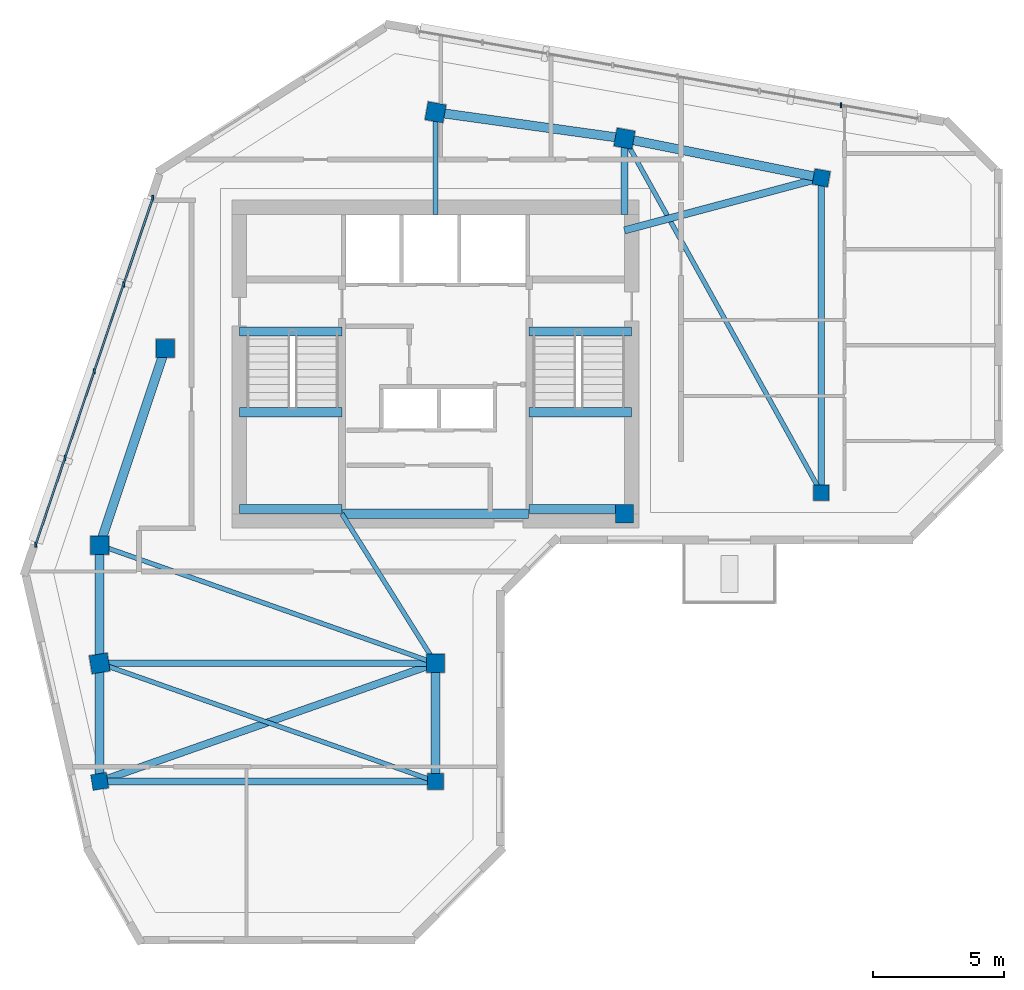
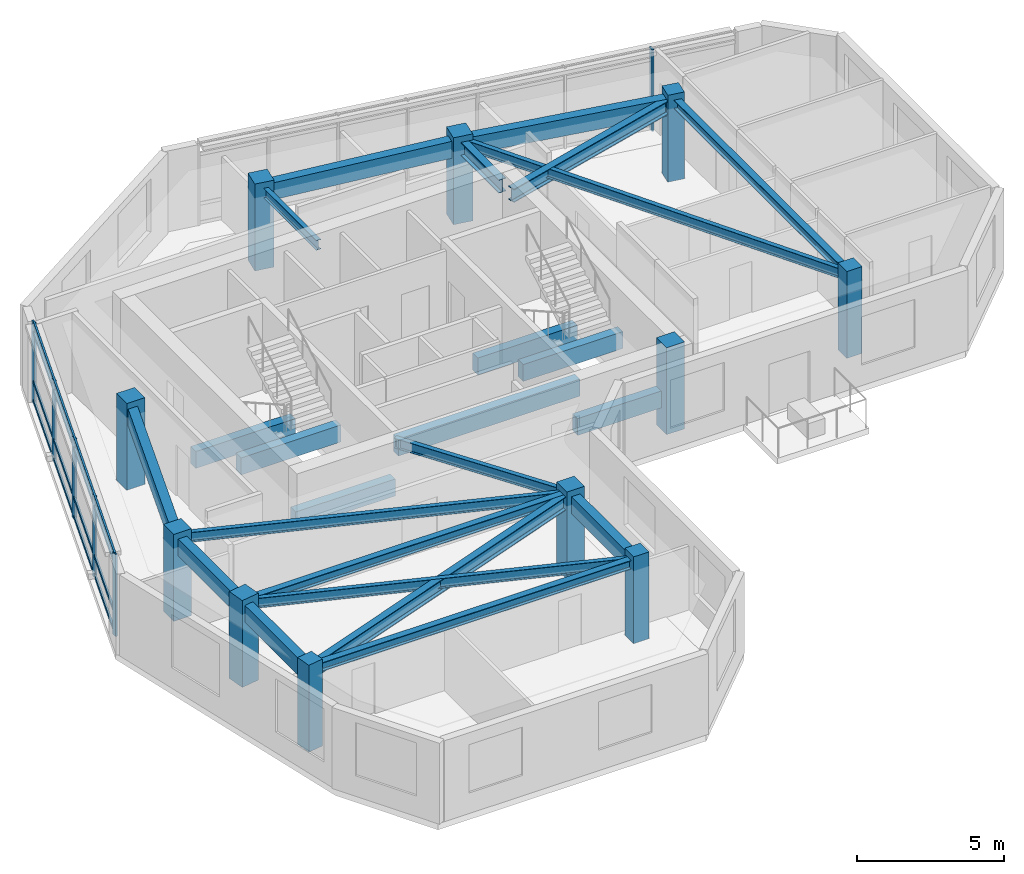
# One storey, part 1 of 9: 24 beams, 11 columns, 10 members, 2 elements without a shape of their own.
"""IFC4 building model written with IfcOpenShell, lengths in metres."""

from ifc_helpers import new_model, si_unit, direction, frame, origin, origin_2d, place, context, subcontext, project, spatial, rectangle, i_section, extrude, source, transform, mapped, material, material_profile, profile_set, type_object, element, aggregate, save


model = new_model("IFC4")

# Units and contexts
model_context = context("Model", 3, precision=1e-05, world=origin(), true_north=direction((0.0, 1.0)))
body_context = subcontext(model_context, "Body", "Model", "MODEL_VIEW")
ifc_project = project(units=[si_unit("LENGTHUNIT", "METRE"), si_unit("AREAUNIT", "SQUARE_METRE"), si_unit("VOLUMEUNIT", "CUBIC_METRE"), si_unit("PLANEANGLEUNIT", "RADIAN"), si_unit("MASSUNIT", "GRAM", prefix="KILO")], contexts=[model_context])

# Site, building, storey
site_placement = place(None, origin())
site = spatial("IfcSite", under=ifc_project, at=site_placement, CompositionType="ELEMENT")
building_placement = place(site_placement, origin())
building = spatial("IfcBuilding", under=site, at=building_placement, Name="Calvemar Wedge Station Tower", CompositionType="ELEMENT")
storey_placement = place(building_placement, frame((0.0, 0.0, 270.89990234375)))
storey = spatial("IfcBuildingStorey", under=building, at=storey_placement, Name="L69", CompositionType="ELEMENT", Elevation=270.89990234375)

# Columns
ifc_material_1 = material(Name="Concrete C50", Category="concrete")
ifc_material_profile_1 = material_profile(ifc_material_1, rectangle(XDim=0.699951171875, YDim=0.699951171875, at=origin_2d()), Name="RC700x700")
ifc_profile_set_1 = profile_set([ifc_material_profile_1], Name="Concrete C50")
column_type_1 = type_object("IfcColumnType", Name="COL-C7-700", PredefinedType="COLUMN", material=ifc_profile_set_1)
shared_shape_1 = source(origin(), body_context, "Body", "SweptSolid", [
    extrude(rectangle(XDim=0.699951171875, YDim=0.699951171875, at=origin_2d()), origin(), (0.0, 0.0, 1.0), 3.60009765625),
])
for number, where, z_axis, x_axis, name in (
    (1, (11.0, 33.0, 0.0), (0.0, 0.0, 1.0), (1.0, 0.0, 0.0), "Storey L69 Column T-NW1"),
    (2, (13.5, 40.5, 0.0), (0.0, 0.0, 1.0), (1.0, 0.0, 0.0), "Storey L69 Column T-NW2"),
    (3, (23.800048828125, 49.5, 0.0), (0.0, 0.0, 1.0), (0.984195607969, -0.17708474032, 0.0), "Storey L69 Column T-N1"),
    (4, (31.0, 48.5, 0.0), (0.0, 0.0, 1.0), (0.984195607969, -0.17708474032, 0.0), "Storey L69 Column T-N2"),
    (5, (31.0, 34.199951171875, 0.0), (0.0, 0.0, 1.0), (1.0, 0.0, 0.0), "Storey L69 Column T-NL1"),
    (6, (11.0, 28.5, 0.0), (0.0, 0.0, 1.0), (0.158158067254, -0.987413806751, 0.0), "Storey L69 Column T-SW1"),
    (7, (23.800048828125, 28.5, 0.0), (0.0, 0.0, 1.0), (1.0, 0.0, 0.0), "Storey L69 Column T-SE1"),
):
    element("IfcColumn", number, at=place(storey_placement, frame(where, z_axis=z_axis, x_axis=x_axis)), inside=storey, type_object=column_type_1, Name=name, PredefinedType="COLUMN", context=body_context, shape_type="MappedRepresentation", body=[
        mapped(shared_shape_1, transform((0.0, 0.0, 0.0), scale=1.0)),
    ])
ifc_material_profile_2 = material_profile(ifc_material_1, rectangle(XDim=0.60009765625, YDim=0.60009765625, at=origin_2d()), Name="RC600x600")
ifc_profile_set_2 = profile_set([ifc_material_profile_2], Name="Concrete C50")
column_type_2 = type_object("IfcColumnType", Name="COL-C8-600", PredefinedType="COLUMN", material=ifc_profile_set_2)
shared_shape_2 = source(origin(), body_context, "Body", "SweptSolid", [
    extrude(rectangle(XDim=0.60009765625, YDim=0.60009765625, at=origin_2d()), origin(), (0.0, 0.0, 1.0), 3.60009765625),
])
for number, where, z_axis, x_axis, name in (
    (8, (38.5, 47.0, 0.0), (0.0, 0.0, 1.0), (0.984195607969, -0.17708474032, 0.0), "Storey L69 Column T-NU3"),
    (9, (38.5, 35.0, 0.0), (0.0, 0.0, 1.0), (1.0, 0.0, 0.0), "Storey L69 Column T-NL2"),
    (10, (11.0, 24.0, 0.0), (0.0, 0.0, 1.0), (0.158158067254, -0.987413806751, 0.0), "Storey L69 Column T-SW2"),
    (11, (23.800048828125, 24.0, 0.0), (0.0, 0.0, 1.0), (1.0, 0.0, 0.0), "Storey L69 Column T-SE2"),
):
    element("IfcColumn", number, at=place(storey_placement, frame(where, z_axis=z_axis, x_axis=x_axis)), inside=storey, type_object=column_type_2, Name=name, PredefinedType="COLUMN", context=body_context, shape_type="MappedRepresentation", body=[
        mapped(shared_shape_2, transform((0.0, 0.0, 0.0), scale=1.0)),
    ])

# Beams
ifc_material_2 = material(Name="Structural steel ASTM A572 Grade 50", Category="steel")
ifc_material_profile_3 = material_profile(ifc_material_2, i_section(OverallWidth=0.177978515625, OverallDepth=0.406982421875, WebThickness=0.0078125, FlangeThickness=0.0126953125, FilletRadius=0.010009765625, at=origin_2d()), Name="W410x60")
ifc_profile_set_3 = profile_set([ifc_material_profile_3], Name="Structural steel ASTM A572 Grade 50")
beam_type_1 = type_object("IfcBeamType", Name="BM-J3-W410", PredefinedType="JOIST", material=ifc_profile_set_3)
shared_shape_3 = source(origin(), body_context, "Body", "SweptSolid", [
    extrude(i_section(OverallWidth=0.177978515625, OverallDepth=0.406982421875, WebThickness=0.0078125, FlangeThickness=0.0126953125, FilletRadius=0.010009765625, at=origin_2d()), origin(), (0.0, 0.0, 1.0), 15.443359375),
])
beam_1_placement = place(storey_placement, frame((31.0, 48.5, 3.146484375), z_axis=(0.485642931179, -0.874157276122, 0.0), x_axis=(0.874157276122, 0.485642931179, 0.0)))
element("IfcBeam", 12, at=beam_1_placement, inside=storey, type_object=beam_type_1, Name="Storey L69 Floor Beam T-N2-T-NL2", PredefinedType="JOIST", context=body_context, shape_type="MappedRepresentation", body=[
    mapped(shared_shape_3, transform((0.0, 0.0, 0.0), scale=1.0)),
])
shared_shape_4 = source(origin(), body_context, "Body", "SweptSolid", [
    extrude(i_section(OverallWidth=0.177978515625, OverallDepth=0.406982421875, WebThickness=0.0078125, FlangeThickness=0.0126953125, FilletRadius=0.010009765625, at=origin_2d()), origin(), (0.0, 0.0, 1.0), 13.568115234375),
])
for number, where, z_axis, x_axis, name in (
    (13, (11.0, 33.0, 3.146484375), (0.943398221169, -0.331662171939, 0.0), (0.331662171939, 0.943398221169, 0.0), "Storey L69 Floor Beam T-NW1-T-SE1"),
    (14, (11.0, 28.5, 3.146484375), (0.943398221169, -0.331662171939, 0.0), (0.331662171939, 0.943398221169, 0.0), "Storey L69 Floor Beam T-SW1-T-SE2"),
):
    element("IfcBeam", number, at=place(storey_placement, frame(where, z_axis=z_axis, x_axis=x_axis)), inside=storey, type_object=beam_type_1, Name=name, PredefinedType="JOIST", context=body_context, shape_type="MappedRepresentation", body=[
        mapped(shared_shape_4, transform((0.0, 0.0, 0.0), scale=1.0)),
    ])
ifc_material_profile_4 = material_profile(ifc_material_2, i_section(OverallWidth=0.279052734375, OverallDepth=0.553955078125, WebThickness=0.017578125, FlangeThickness=0.029541015625, FilletRadius=0.014892578125, at=origin_2d()), Name="W530x196")
ifc_profile_set_4 = profile_set([ifc_material_profile_4], Name="Structural steel ASTM A572 Grade 50")
beam_type_2 = type_object("IfcBeamType", Name="BM-SB3-W530H", PredefinedType="BEAM", material=ifc_profile_set_4)
shared_shape_5 = source(origin(), body_context, "Body", "SweptSolid", [
    extrude(i_section(OverallWidth=0.279052734375, OverallDepth=0.553955078125, WebThickness=0.017578125, FlangeThickness=0.029541015625, FilletRadius=0.014892578125, at=origin_2d()), origin(), (0.0, 0.0, 1.0), 13.568115234375),
])
beam_2_placement = place(storey_placement, frame((23.800048828125, 28.5, 3.072998046875), z_axis=(-0.943398221169, -0.331662171939, 0.0), x_axis=(0.331662171939, -0.943398221169, 0.0)))
element("IfcBeam", 15, at=beam_2_placement, inside=storey, type_object=beam_type_2, Name="Storey L69 Floor Beam T-SE1-T-SW2", PredefinedType="BEAM", context=body_context, shape_type="MappedRepresentation", body=[
    mapped(shared_shape_5, transform((0.0, 0.0, 0.0), scale=1.0)),
])
shared_shape_6 = source(origin(), body_context, "Body", "SweptSolid", [
    extrude(i_section(OverallWidth=0.279052734375, OverallDepth=0.553955078125, WebThickness=0.017578125, FlangeThickness=0.029541015625, FilletRadius=0.014892578125, at=origin_2d()), origin(), (0.0, 0.0, 1.0), 7.76220703125),
])
beam_3_placement = place(storey_placement, frame((31.0, 45.0, 3.072998046875), z_axis=(0.966234939601, 0.25766265056, 0.0), x_axis=(-0.25766265056, 0.966234939601, 0.0)))
element("IfcBeam", 16, at=beam_3_placement, inside=storey, type_object=beam_type_2, Name="Storey L69 Core-to-Column Joist CJ-E2", PredefinedType="BEAM", context=body_context, shape_type="MappedRepresentation", body=[
    mapped(shared_shape_6, transform((0.0, 0.0, 0.0), scale=1.0)),
])
shared_shape_7 = source(origin(), body_context, "Body", "SweptSolid", [
    extrude(i_section(OverallWidth=0.177978515625, OverallDepth=0.406982421875, WebThickness=0.0078125, FlangeThickness=0.0126953125, FilletRadius=0.010009765625, at=origin_2d()), origin(), (0.0, 0.0, 1.0), 3.89990234375),
])
beam_4_placement = place(storey_placement, frame((23.800048828125, 45.60009765625, 3.146484375), z_axis=(0.0, 1.0, 0.0), x_axis=(-1.0, 0.0, 0.0)))
element("IfcBeam", 17, at=beam_4_placement, inside=storey, type_object=beam_type_1, Name="Storey L69 Core-to-Column Joist CJ-N1", PredefinedType="JOIST", context=body_context, shape_type="MappedRepresentation", body=[
    mapped(shared_shape_7, transform((0.0, 0.0, 0.0), scale=1.0)),
])
shared_shape_8 = source(origin(), body_context, "Body", "SweptSolid", [
    extrude(i_section(OverallWidth=0.279052734375, OverallDepth=0.553955078125, WebThickness=0.017578125, FlangeThickness=0.029541015625, FilletRadius=0.014892578125, at=origin_2d()), origin(), (0.0, 0.0, 1.0), 2.89990234375),
])
beam_5_placement = place(storey_placement, frame((31.0, 45.60009765625, 3.072998046875), z_axis=(0.0, 1.0, 0.0), x_axis=(-1.0, 0.0, 0.0)))
element("IfcBeam", 18, at=beam_5_placement, inside=storey, type_object=beam_type_2, Name="Storey L69 Core-to-Column Joist CJ-N2", PredefinedType="BEAM", context=body_context, shape_type="MappedRepresentation", body=[
    mapped(shared_shape_8, transform((0.0, 0.0, 0.0), scale=1.0)),
])
shared_shape_9 = source(origin(), body_context, "Body", "SweptSolid", [
    extrude(i_section(OverallWidth=0.177978515625, OverallDepth=0.406982421875, WebThickness=0.0078125, FlangeThickness=0.0126953125, FilletRadius=0.010009765625, at=origin_2d()), origin(), (0.0, 0.0, 1.0), 6.7255859375),
])
beam_6_placement = place(storey_placement, frame((20.22998046875, 34.199951171875, 3.146484375), z_axis=(0.530811158438, -0.847490126242, 0.0), x_axis=(0.847490126242, 0.530811158438, 0.0)))
element("IfcBeam", 19, at=beam_6_placement, inside=storey, type_object=beam_type_1, Name="Storey L69 Core-to-Column Joist CJ-S2", PredefinedType="JOIST", context=body_context, shape_type="MappedRepresentation", body=[
    mapped(shared_shape_9, transform((0.0, 0.0, 0.0), scale=1.0)),
])
ifc_material_3 = material(Name="Concrete C70", Category="concrete")
ifc_material_profile_5 = material_profile(ifc_material_3, rectangle(XDim=0.35009765625, YDim=0.699951171875, at=origin_2d()), Name="RC350x700")
ifc_profile_set_5 = profile_set([ifc_material_profile_5], Name="Concrete C70")
beam_type_3 = type_object("IfcBeamType", Name="BM-LN1-700", PredefinedType="LINTEL", material=ifc_profile_set_5)
shared_shape_10 = source(origin(), body_context, "Body", "SweptSolid", [
    extrude(rectangle(XDim=0.35009765625, YDim=0.699951171875, at=origin_2d()), origin(), (0.0, 0.0, 1.0), 7.10009765625),
])
beam_7_placement = place(storey_placement, frame((20.25, 34.199951171875, 3.0), z_axis=(1.0, 0.0, 0.0), x_axis=(0.0, 1.0, 0.0)))
element("IfcBeam", 20, at=beam_7_placement, inside=storey, type_object=beam_type_3, Name="Storey L69 Core Coupling Lintel South", PredefinedType="LINTEL", context=body_context, shape_type="MappedRepresentation", body=[
    mapped(shared_shape_10, transform((0.0, 0.0, 0.0), scale=1.0)),
])
ifc_material_profile_6 = material_profile(ifc_material_1, rectangle(XDim=0.35009765625, YDim=0.699951171875, at=origin_2d()), Name="RC350x700")
ifc_profile_set_6 = profile_set([ifc_material_profile_6], Name="Concrete C50")
beam_type_4 = type_object("IfcBeamType", Name="BM-SP2-700", PredefinedType="SPANDREL", material=ifc_profile_set_6)
shared_shape_11 = source(origin(), body_context, "Body", "SweptSolid", [
    extrude(rectangle(XDim=0.35009765625, YDim=0.699951171875, at=origin_2d()), origin(), (0.0, 0.0, 1.0), 7.90576171875),
])
beam_8_placement = place(storey_placement, frame((11.0, 33.0, 3.0), z_axis=(0.316227766017, 0.948683298051, 0.0), x_axis=(-0.948683298051, 0.316227766017, 0.0)))
element("IfcBeam", 21, at=beam_8_placement, inside=storey, type_object=beam_type_4, Name="Storey L69 Spandrel T-NW1-T-NW2", PredefinedType="SPANDREL", context=body_context, shape_type="MappedRepresentation", body=[
    mapped(shared_shape_11, transform((0.0, 0.0, 0.0), scale=1.0)),
])
shared_shape_12 = source(origin(), body_context, "Body", "SweptSolid", [
    extrude(rectangle(XDim=0.35009765625, YDim=0.699951171875, at=origin_2d()), origin(), (0.0, 0.0, 1.0), 7.26904296875),
])
beam_9_placement = place(storey_placement, frame((23.800048828125, 49.5, 3.0), z_axis=(0.990492146053, -0.13756928657, 0.0), x_axis=(0.13756928657, 0.990492146053, 0.0)))
element("IfcBeam", 22, at=beam_9_placement, inside=storey, type_object=beam_type_4, Name="Storey L69 Spandrel T-N1-T-N2", PredefinedType="SPANDREL", context=body_context, shape_type="MappedRepresentation", body=[
    mapped(shared_shape_12, transform((0.0, 0.0, 0.0), scale=1.0)),
])
shared_shape_13 = source(origin(), body_context, "Body", "SweptSolid", [
    extrude(rectangle(XDim=0.35009765625, YDim=0.699951171875, at=origin_2d()), origin(), (0.0, 0.0, 1.0), 7.6484375),
])
beam_10_placement = place(storey_placement, frame((31.0, 48.5, 3.0), z_axis=(0.980580675691, -0.196116135138, 0.0), x_axis=(0.196116135138, 0.980580675691, 0.0)))
element("IfcBeam", 23, at=beam_10_placement, inside=storey, type_object=beam_type_4, Name="Storey L69 Spandrel T-N2-T-NU3", PredefinedType="SPANDREL", context=body_context, shape_type="MappedRepresentation", body=[
    mapped(shared_shape_13, transform((0.0, 0.0, 0.0), scale=1.0)),
])
shared_shape_14 = source(origin(), body_context, "Body", "SweptSolid", [
    extrude(rectangle(XDim=0.35009765625, YDim=0.699951171875, at=origin_2d()), origin(), (0.0, 0.0, 1.0), 4.5),
])
for number, where, z_axis, x_axis, name in (
    (24, (11.0, 33.0, 3.0), (0.0, -1.0, 0.0), (1.0, 0.0, 0.0), "Storey L69 Spandrel T-NW1-T-SW1"),
    (25, (11.0, 28.5, 3.0), (0.0, -1.0, 0.0), (1.0, 0.0, 0.0), "Storey L69 Spandrel T-SW1-T-SW2"),
    (26, (23.800048828125, 28.5, 3.0), (0.0, -1.0, 0.0), (1.0, 0.0, 0.0), "Storey L69 Spandrel T-SE1-T-SE2"),
):
    element("IfcBeam", number, at=place(storey_placement, frame(where, z_axis=z_axis, x_axis=x_axis)), inside=storey, type_object=beam_type_4, Name=name, PredefinedType="SPANDREL", context=body_context, shape_type="MappedRepresentation", body=[
        mapped(shared_shape_14, transform((0.0, 0.0, 0.0), scale=1.0)),
    ])
shared_shape_15 = source(origin(), body_context, "Body", "SweptSolid", [
    extrude(rectangle(XDim=0.35009765625, YDim=0.699951171875, at=origin_2d()), origin(), (0.0, 0.0, 1.0), 3.905029296875),
])
for number, where, z_axis, x_axis, name in (
    (27, (16.324951171875, 41.14990234375, -0.349853515625), (1.0, 0.0, 0.0), (0.0, 1.0, 0.0), "Storey L69 Stair ST-C1 Landing Trimmer Beam"),
    (28, (16.324951171875, 34.3798828125, 1.25), (1.0, 0.0, 0.0), (0.0, 1.0, 0.0), "Storey L69 Stair ST-C1 Half-Landing Beam 1A"),
    (29, (16.324951171875, 38.070068359375, 1.25), (1.0, 0.0, 0.0), (0.0, 1.0, 0.0), "Storey L69 Stair ST-C1 Half-Landing Beam 1B"),
):
    element("IfcBeam", number, at=place(storey_placement, frame(where, z_axis=z_axis, x_axis=x_axis)), inside=storey, type_object=beam_type_3, Name=name, PredefinedType="LINTEL", context=body_context, shape_type="MappedRepresentation", body=[
        mapped(shared_shape_15, transform((0.0, 0.0, 0.0), scale=1.0)),
    ])
shared_shape_16 = source(origin(), body_context, "Body", "SweptSolid", [
    extrude(rectangle(XDim=0.35009765625, YDim=0.699951171875, at=origin_2d()), origin(), (0.0, 0.0, 1.0), 3.90478515625),
])
for number, where, z_axis, x_axis, name in (
    (30, (27.3701171875, 41.14990234375, -0.349853515625), (1.0, 0.0, 0.0), (0.0, 1.0, 0.0), "Storey L69 Stair ST-C2 Landing Trimmer Beam"),
    (31, (27.3701171875, 34.3798828125, 1.25), (1.0, 0.0, 0.0), (0.0, 1.0, 0.0), "Storey L69 Stair ST-C2 Half-Landing Beam 1A"),
    (32, (27.3701171875, 38.070068359375, 1.25), (1.0, 0.0, 0.0), (0.0, 1.0, 0.0), "Storey L69 Stair ST-C2 Half-Landing Beam 1B"),
):
    element("IfcBeam", number, at=place(storey_placement, frame(where, z_axis=z_axis, x_axis=x_axis)), inside=storey, type_object=beam_type_3, Name=name, PredefinedType="LINTEL", context=body_context, shape_type="MappedRepresentation", body=[
        mapped(shared_shape_16, transform((0.0, 0.0, 0.0), scale=1.0)),
    ])
ifc_material_profile_7 = material_profile(ifc_material_2, i_section(OverallWidth=0.257080078125, OverallDepth=0.363037109375, WebThickness=0.012939453125, FlangeThickness=0.021728515625, FilletRadius=0.014892578125, at=origin_2d()), Name="W360x122")
ifc_profile_set_7 = profile_set([ifc_material_profile_7], Name="Structural steel ASTM A572 Grade 50")
beam_type_5 = type_object("IfcBeamType", Name="BM-J4-W360", PredefinedType="JOIST", material=ifc_profile_set_7)
shared_shape_17 = source(origin(), body_context, "Body", "SweptSolid", [
    extrude(i_section(OverallWidth=0.257080078125, OverallDepth=0.363037109375, WebThickness=0.012939453125, FlangeThickness=0.021728515625, FilletRadius=0.014892578125, at=origin_2d()), origin(), (0.0, 0.0, 1.0), 12.0),
])
beam_11_placement = place(storey_placement, frame((38.5, 47.0, 3.168701171875), z_axis=(0.0, -1.0, 0.0), x_axis=(1.0, 0.0, 0.0)))
element("IfcBeam", 33, at=beam_11_placement, inside=storey, type_object=beam_type_5, Name="Storey L69 Floor Beam T-NU3-T-NL2", PredefinedType="JOIST", context=body_context, shape_type="MappedRepresentation", body=[
    mapped(shared_shape_17, transform((0.0, 0.0, 0.0), scale=1.0)),
])
shared_shape_18 = source(origin(), body_context, "Body", "SweptSolid", [
    extrude(i_section(OverallWidth=0.257080078125, OverallDepth=0.363037109375, WebThickness=0.012939453125, FlangeThickness=0.021728515625, FilletRadius=0.014892578125, at=origin_2d()), origin(), (0.0, 0.0, 1.0), 12.800048828125),
])
for number, where, z_axis, x_axis, name in (
    (34, (11.0, 28.5, 3.168701171875), (1.0, 0.0, 0.0), (0.0, 1.0, 0.0), "Storey L69 Floor Beam T-SW1-T-SE1"),
    (35, (11.0, 24.0, 3.168701171875), (1.0, 0.0, 0.0), (0.0, 1.0, 0.0), "Storey L69 Floor Beam T-SW2-T-SE2"),
):
    element("IfcBeam", number, at=place(storey_placement, frame(where, z_axis=z_axis, x_axis=x_axis)), inside=storey, type_object=beam_type_5, Name=name, PredefinedType="JOIST", context=body_context, shape_type="MappedRepresentation", body=[
        mapped(shared_shape_18, transform((0.0, 0.0, 0.0), scale=1.0)),
    ])

# Curtain wall, member
ifc_material_4 = material(Name="Anodised aluminium 6063-T6", Category="aluminium")
curtain_wall_type = type_object("IfcCurtainWallType", Name="CW4", PredefinedType="NOTDEFINED", material=ifc_material_4)
curtain_wall_1_placement = place(storey_placement, origin())
curtain_wall_1 = element("IfcCurtainWall", 36, at=curtain_wall_1_placement, inside=storey, type_object=curtain_wall_type, Name="Storey L69 CW4 Recessed Unitised Curtain Wall 10", PredefinedType="NOTDEFINED")
ifc_material_profile_8 = material_profile(ifc_material_4, rectangle(XDim=0.070068359375, YDim=0.199951171875, at=origin_2d()), Name="AL-MUL-70x200")
ifc_profile_set_8 = profile_set([ifc_material_profile_8], Name="Anodised aluminium 6063-T6")
member_type_1 = type_object("IfcMemberType", Name="CW4-MUL", PredefinedType="MULLION", material=ifc_profile_set_8)
shared_shape_19 = source(origin(), body_context, "Body", "SweptSolid", [
    extrude(rectangle(XDim=0.070068359375, YDim=0.199951171875, at=origin_2d()), origin(), (0.0, 0.0, 1.0), 3.39990234375),
])
member_1_placement = place(storey_placement, frame((39.253662109375, 49.768310546875, -0.0498046875), z_axis=(0.0, 0.0, 1.0), x_axis=(1.0, 0.0, 0.0)))
member_1 = element("IfcMember", 37, at=member_1_placement, type_object=member_type_1, Name="CW4 mullion 2", PredefinedType="MULLION", context=body_context, shape_type="MappedRepresentation", body=[
    mapped(shared_shape_19, transform((0.0, 0.0, 0.0), scale=1.0)),
])
aggregate(curtain_wall_1, [member_1])

# Curtain wall, members
curtain_wall_2_placement = place(storey_placement, origin())
curtain_wall_2 = element("IfcCurtainWall", 38, at=curtain_wall_2_placement, inside=storey, type_object=curtain_wall_type, Name="Storey L69 CW4 Recessed Unitised Curtain Wall 12", PredefinedType="NOTDEFINED")
member_2_placement = place(storey_placement, frame((13.030029296875, 46.240478515625, -0.0498046875), z_axis=(0.0, 0.0, 1.0), x_axis=(1.0, 0.0, 0.0)))
member_2 = element("IfcMember", 39, at=member_2_placement, type_object=member_type_1, Name="CW4 mullion 1", PredefinedType="MULLION", context=body_context, shape_type="MappedRepresentation", body=[
    mapped(shared_shape_19, transform((0.0, 0.0, 0.0), scale=1.0)),
])
member_3_placement = place(storey_placement, frame((11.913818359375, 42.93408203125, -0.0498046875), z_axis=(0.0, 0.0, 1.0), x_axis=(1.0, 0.0, 0.0)))
member_3 = element("IfcMember", 40, at=member_3_placement, type_object=member_type_1, Name="CW4 mullion 2", PredefinedType="MULLION", context=body_context, shape_type="MappedRepresentation", body=[
    mapped(shared_shape_19, transform((0.0, 0.0, 0.0), scale=1.0)),
])
member_4_placement = place(storey_placement, frame((10.79736328125, 39.627685546875, -0.0498046875), z_axis=(0.0, 0.0, 1.0), x_axis=(1.0, 0.0, 0.0)))
member_4 = element("IfcMember", 41, at=member_4_placement, type_object=member_type_1, Name="CW4 mullion 3", PredefinedType="MULLION", context=body_context, shape_type="MappedRepresentation", body=[
    mapped(shared_shape_19, transform((0.0, 0.0, 0.0), scale=1.0)),
])
member_5_placement = place(storey_placement, frame((9.680908203125, 36.3212890625, -0.0498046875), z_axis=(0.0, 0.0, 1.0), x_axis=(1.0, 0.0, 0.0)))
member_5 = element("IfcMember", 42, at=member_5_placement, type_object=member_type_1, Name="CW4 mullion 4", PredefinedType="MULLION", context=body_context, shape_type="MappedRepresentation", body=[
    mapped(shared_shape_19, transform((0.0, 0.0, 0.0), scale=1.0)),
])
member_6_placement = place(storey_placement, frame((8.564453125, 33.014892578125, -0.0498046875), z_axis=(0.0, 0.0, 1.0), x_axis=(1.0, 0.0, 0.0)))
member_6 = element("IfcMember", 43, at=member_6_placement, type_object=member_type_1, Name="CW4 mullion 5", PredefinedType="MULLION", context=body_context, shape_type="MappedRepresentation", body=[
    mapped(shared_shape_19, transform((0.0, 0.0, 0.0), scale=1.0)),
])
ifc_material_profile_9 = material_profile(ifc_material_4, rectangle(XDim=0.070068359375, YDim=0.139892578125, at=origin_2d()), Name="AL-TRN-70x140")
ifc_profile_set_9 = profile_set([ifc_material_profile_9], Name="Anodised aluminium 6063-T6")
member_type_2 = type_object("IfcMemberType", Name="CW4-TRN", PredefinedType="USERDEFINED", material=ifc_profile_set_9)
shared_shape_20 = source(origin(), body_context, "Body", "SweptSolid", [
    extrude(rectangle(XDim=0.070068359375, YDim=0.139892578125, at=origin_2d()), origin(), (0.0, 0.0, 1.0), 13.959228515625),
])
member_7_placement = place(storey_placement, frame((13.030029296875, 46.240478515625, 0.06005859375), z_axis=(-0.319903465926, -0.947450142482, 0.0), x_axis=(0.947450142482, -0.319903465926, 0.0)))
member_7 = element("IfcMember", 44, at=member_7_placement, type_object=member_type_2, Name="CW4 transom 1", ObjectType="TRANSOM", PredefinedType="USERDEFINED", context=body_context, shape_type="MappedRepresentation", body=[
    mapped(shared_shape_20, transform((0.0, 0.0, 0.0), scale=1.0)),
])
member_8_placement = place(storey_placement, frame((13.030029296875, 46.240478515625, 0.85009765625), z_axis=(-0.319903465926, -0.947450142482, 0.0), x_axis=(0.947450142482, -0.319903465926, 0.0)))
member_8 = element("IfcMember", 45, at=member_8_placement, type_object=member_type_2, Name="CW4 transom 2", ObjectType="TRANSOM", PredefinedType="USERDEFINED", context=body_context, shape_type="MappedRepresentation", body=[
    mapped(shared_shape_20, transform((0.0, 0.0, 0.0), scale=1.0)),
])
member_9_placement = place(storey_placement, frame((13.030029296875, 46.240478515625, 2.900146484375), z_axis=(-0.319903465926, -0.947450142482, 0.0), x_axis=(0.947450142482, -0.319903465926, 0.0)))
member_9 = element("IfcMember", 46, at=member_9_placement, type_object=member_type_2, Name="CW4 transom 3", ObjectType="TRANSOM", PredefinedType="USERDEFINED", context=body_context, shape_type="MappedRepresentation", body=[
    mapped(shared_shape_20, transform((0.0, 0.0, 0.0), scale=1.0)),
])
member_10_placement = place(storey_placement, frame((13.030029296875, 46.240478515625, 3.2900390625), z_axis=(-0.319903465926, -0.947450142482, 0.0), x_axis=(0.947450142482, -0.319903465926, 0.0)))
member_10 = element("IfcMember", 47, at=member_10_placement, type_object=member_type_2, Name="CW4 transom 4", ObjectType="TRANSOM", PredefinedType="USERDEFINED", context=body_context, shape_type="MappedRepresentation", body=[
    mapped(shared_shape_20, transform((0.0, 0.0, 0.0), scale=1.0)),
])
aggregate(curtain_wall_2, [member_2, member_3, member_4, member_5, member_6, member_7, member_8, member_9, member_10])

save(model, "model.ifc")
